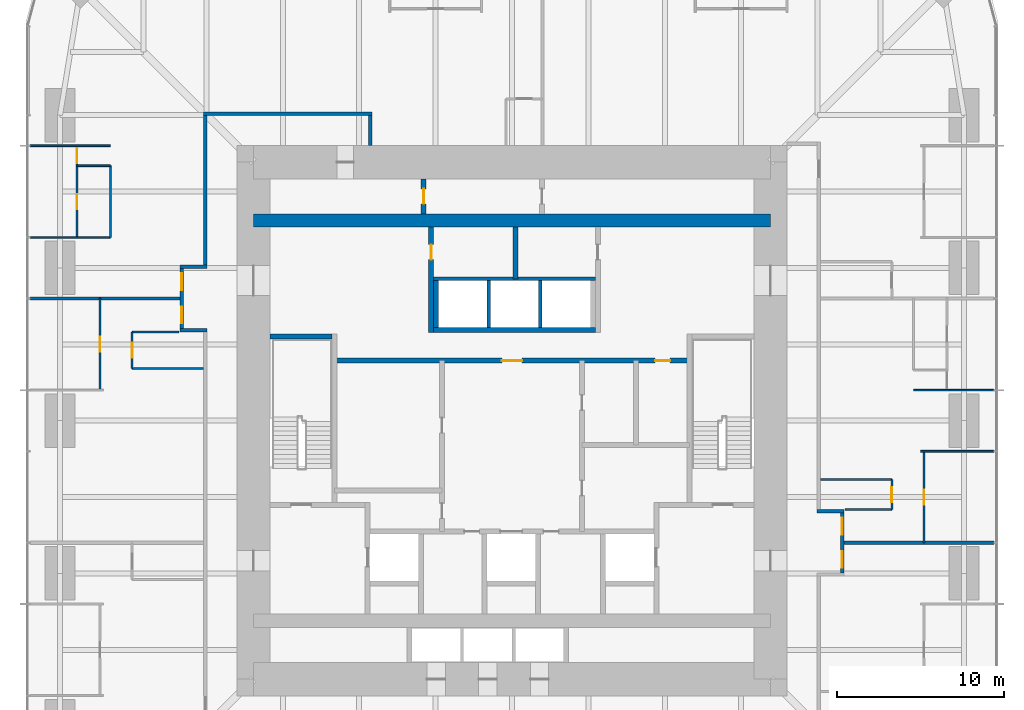
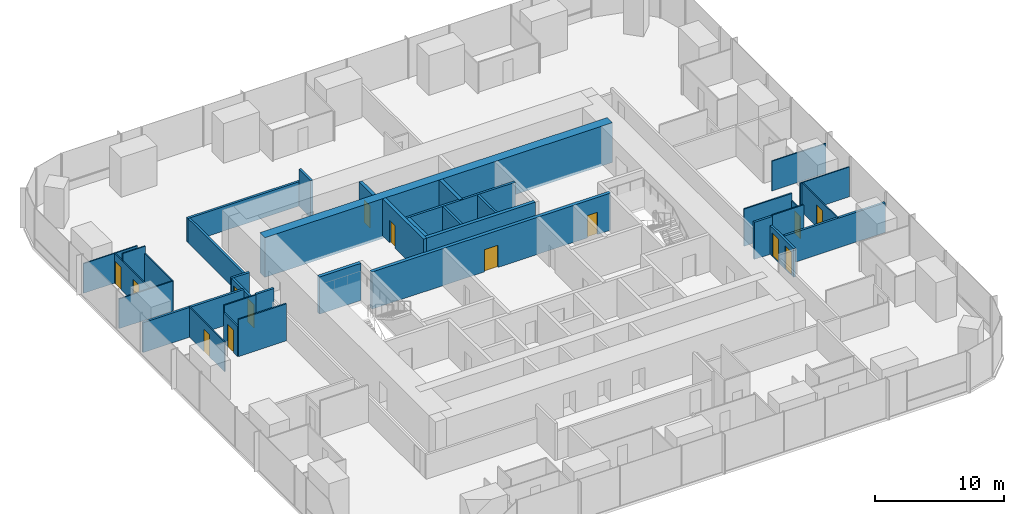
# One storey, part 11 of 13: 36 walls, 14 doors, 14 openings.
"""IFC4 building model written with IfcOpenShell, lengths in metres."""

from ifc_helpers import new_model, si_unit, direction, frame, frame_2d, origin, place, context, subcontext, project, spatial, rectangle, extrude, material, layer, layer_set, type_object, element, fill, save


model = new_model("IFC4")

# Units and contexts
model_context = context("Model", 3, precision=1e-05, world=origin(), true_north=direction((0.0, 1.0)))
body_context = subcontext(model_context, "Body", "Model", "MODEL_VIEW")
ifc_project = project(units=[si_unit("LENGTHUNIT", "METRE"), si_unit("AREAUNIT", "SQUARE_METRE"), si_unit("VOLUMEUNIT", "CUBIC_METRE"), si_unit("PLANEANGLEUNIT", "RADIAN"), si_unit("MASSUNIT", "GRAM", prefix="KILO")], contexts=[model_context])

# Site, building, storey
site_placement = place(None, origin())
site = spatial("IfcSite", under=ifc_project, at=site_placement, CompositionType="ELEMENT")
building_placement = place(site_placement, origin())
building = spatial("IfcBuilding", under=site, at=building_placement, Name="Khuree Lantern Residences", CompositionType="ELEMENT")
storey_placement = place(building_placement, frame((0.0, 0.0, 122.25)))
storey = spatial("IfcBuildingStorey", under=building, at=storey_placement, Name="L30", CompositionType="ELEMENT", Elevation=122.25)

# Wall, opening, door
ifc_material_1 = material(Name="Moisture-resistant gypsum board on steel studs", Category="steel")
ifc_layer_1 = layer(ifc_material_1, 0.125)
ifc_layer_set_1 = layer_set([ifc_layer_1], Name="BATHROOM WALL BTW125")
wall_type_1 = type_object("IfcWallType", Name="BATHROOM WALL BTW125", PredefinedType="PARTITIONING", material=ifc_layer_set_1)
wall_1_placement = place(storey_placement, frame((22.77978515625, -5.327880859375, 0.0), z_axis=(0.0, 0.0, 1.0), x_axis=(0.0, 1.0, 0.0)))
wall_1 = element("IfcWall", 1, at=wall_1_placement, inside=storey, type_object=wall_type_1, Name="L30 BATHROOM WALL 01", PredefinedType="PARTITIONING", context=body_context, shape_type="SweptSolid", body=[
    extrude(rectangle(XDim=1.7998046875, YDim=0.125, at=frame_2d((0.89990234375, 0.0))), origin(), (0.0, 0.0, 1.0), 2.81005859375),
])
opening_1_placement = place(wall_1_placement, frame((0.449951171875, 0.0, 0.0)))
opening_1 = element("IfcOpeningElement", 2, at=opening_1_placement, cuts=wall_1, Name="Opening 30-029", PredefinedType="OPENING", context=body_context, shape_type="SweptSolid", body=[
    extrude(rectangle(XDim=0.89990234375, YDim=2.10009765625, at=frame_2d((0.449951171875, 1.050048828125))), frame((0.0, 0.072509765625, 0.0), z_axis=(0.0, -1.0, 0.0), x_axis=(1.0, 0.0, 0.0)), (0.0, 0.0, 1.0), 0.14501953125),
])
ifc_material_2 = material(Name="Timber door leaf in hardwood frame", Category="wood")
door_type_1 = type_object("IfcDoorType", Name="BATHROOM DOOR 900X2100", OperationType="SINGLE_SWING_LEFT", PredefinedType="DOOR", material=ifc_material_2)
door_1_placement = place(opening_1_placement, origin())
door_1 = element("IfcDoor", 3, at=door_1_placement, inside=storey, type_object=door_type_1, Name="Bathroom door 30-029", OperationType="SINGLE_SWING_LEFT", OverallHeight=2.10009765625, OverallWidth=0.89990234375, PredefinedType="DOOR", context=body_context, shape_type="SweptSolid", body=[
    extrude(rectangle(XDim=0.89990234375, YDim=2.10009765625, at=frame_2d((0.449951171875, 1.050048828125))), frame((0.0, 0.02490234375, 0.0), z_axis=(0.0, -1.0, 0.0), x_axis=(1.0, 0.0, 0.0)), (0.0, 0.0, 1.0), 0.050048828125),
])
fill(opening_1, door_1)

# Walls
wall_2_placement = place(storey_placement, frame((19.969970703125, -5.327880859375, 0.0), z_axis=(0.0, 0.0, 1.0), x_axis=(1.0, 0.0, 0.0)))
element("IfcWall", 4, at=wall_2_placement, inside=storey, type_object=wall_type_1, Name="L30 BATHROOM WALL 01", PredefinedType="PARTITIONING", context=body_context, shape_type="SweptSolid", body=[
    extrude(rectangle(XDim=2.809814453125, YDim=0.125, at=frame_2d((1.40478515625, 0.0))), origin(), (0.0, 0.0, 1.0), 3.5),
])
wall_3_placement = place(storey_placement, frame((18.5, -3.528076171875, 0.0), z_axis=(0.0, 0.0, 1.0), x_axis=(1.0, 0.0, 0.0)))
element("IfcWall", 5, at=wall_3_placement, inside=storey, type_object=wall_type_1, Name="L30 BATHROOM WALL 01", PredefinedType="PARTITIONING", context=body_context, shape_type="SweptSolid", body=[
    extrude(rectangle(XDim=4.27978515625, YDim=0.125, at=frame_2d((2.139892578125, 0.0))), origin(), (0.0, 0.0, 1.0), 3.5),
])

# Wall, opening, door
wall_4_placement = place(storey_placement, frame((-22.77978515625, 5.327880859375, 0.0), z_axis=(0.0, 0.0, 1.0), x_axis=(0.0, -1.0, 0.0)))
wall_4 = element("IfcWall", 6, at=wall_4_placement, inside=storey, type_object=wall_type_1, Name="L30 BATHROOM WALL 04", PredefinedType="PARTITIONING", context=body_context, shape_type="SweptSolid", body=[
    extrude(rectangle(XDim=2.199951171875, YDim=0.125, at=frame_2d((1.10009765625, 0.0))), origin(), (0.0, 0.0, 1.0), 2.81005859375),
])
opening_2_placement = place(wall_4_placement, frame((0.64990234375, 0.0, 0.0)))
opening_2 = element("IfcOpeningElement", 7, at=opening_2_placement, cuts=wall_4, Name="Opening 30-041", PredefinedType="OPENING", context=body_context, shape_type="SweptSolid", body=[
    extrude(rectangle(XDim=0.89990234375, YDim=2.10009765625, at=frame_2d((0.449951171875, 1.050048828125))), frame((0.0, 0.072509765625, 0.0), z_axis=(0.0, -1.0, 0.0), x_axis=(1.0, 0.0, 0.0)), (0.0, 0.0, 1.0), 0.14501953125),
])
door_2_placement = place(opening_2_placement, origin())
door_2 = element("IfcDoor", 8, at=door_2_placement, inside=storey, type_object=door_type_1, Name="Bathroom door 30-041", OperationType="SINGLE_SWING_LEFT", OverallHeight=2.10009765625, OverallWidth=0.89990234375, PredefinedType="DOOR", context=body_context, shape_type="SweptSolid", body=[
    extrude(rectangle(XDim=0.89990234375, YDim=2.10009765625, at=frame_2d((0.449951171875, 1.050048828125))), frame((0.0, 0.02490234375, 0.0), z_axis=(0.0, -1.0, 0.0), x_axis=(1.0, 0.0, 0.0)), (0.0, 0.0, 1.0), 0.050048828125),
])
fill(opening_2, door_2)

# Walls
wall_5_placement = place(storey_placement, frame((-19.969970703125, 5.327880859375, 0.0), z_axis=(0.0, 0.0, 1.0), x_axis=(-1.0, 0.0, 0.0)))
element("IfcWall", 9, at=wall_5_placement, inside=storey, type_object=wall_type_1, Name="L30 BATHROOM WALL 04", PredefinedType="PARTITIONING", context=body_context, shape_type="SweptSolid", body=[
    extrude(rectangle(XDim=2.809814453125, YDim=0.125, at=frame_2d((1.40478515625, 0.0))), origin(), (0.0, 0.0, 1.0), 3.5),
])
wall_6_placement = place(storey_placement, frame((-18.5, 3.1279296875, 0.0), z_axis=(0.0, 0.0, 1.0), x_axis=(-1.0, 0.0, 0.0)))
element("IfcWall", 10, at=wall_6_placement, inside=storey, type_object=wall_type_1, Name="L30 BATHROOM WALL 04", PredefinedType="PARTITIONING", context=body_context, shape_type="SweptSolid", body=[
    extrude(rectangle(XDim=4.27978515625, YDim=0.125, at=frame_2d((2.139892578125, 0.0))), origin(), (0.0, 0.0, 1.0), 3.5),
])
ifc_material_3 = material(Name="Dense concrete blockwork", Category="masonry")
ifc_layer_2 = layer(ifc_material_3, 0.300048828125)
ifc_layer_set_2 = layer_set([ifc_layer_2], Name="CORE PARTITION WALL CPW300 EI 120")
wall_type_2 = type_object("IfcWallType", Name="CORE PARTITION WALL CPW300 EI 120", PredefinedType="PARTITIONING", material=ifc_layer_set_2)
wall_7_placement = place(storey_placement, frame((-4.699951171875, 5.449951171875, 0.0), z_axis=(0.0, 0.0, 1.0), x_axis=(1.0, 0.0, 0.0)))
element("IfcWall", 11, at=wall_7_placement, inside=storey, type_object=wall_type_2, Name="L30 CORE WALL PHS", PredefinedType="PARTITIONING", context=body_context, shape_type="SweptSolid", body=[
    extrude(rectangle(XDim=9.699951171875, YDim=0.300048828125, at=frame_2d((4.85009765625, 0.0))), origin(), (0.0, 0.0, 1.0), 3.5),
])
wall_8_placement = place(storey_placement, frame((-4.550048828125, 5.60009765625, 0.0), z_axis=(0.0, 0.0, 1.0), x_axis=(0.0, 1.0, 0.0)))
element("IfcWall", 12, at=wall_8_placement, inside=storey, type_object=wall_type_2, Name="L30 CORE WALL PHW", PredefinedType="PARTITIONING", context=body_context, shape_type="SweptSolid", body=[
    extrude(rectangle(XDim=2.7998046875, YDim=0.300048828125, at=frame_2d((1.39990234375, 0.0))), origin(), (0.0, 0.0, 1.0), 3.5),
])

# Wall, openings, doors
wall_9_placement = place(storey_placement, frame((-10.64990234375, 3.60009765625, 0.0), z_axis=(0.0, 0.0, 1.0), x_axis=(1.0, 0.0, 0.0)))
wall_9 = element("IfcWall", 13, at=wall_9_placement, inside=storey, type_object=wall_type_2, Name="L30 CORE WALL LLS", PredefinedType="PARTITIONING", context=body_context, shape_type="SweptSolid", body=[
    extrude(rectangle(XDim=21.2998046875, YDim=0.300048828125, at=frame_2d((10.64990234375, 0.0))), origin(), (0.0, 0.0, 1.0), 3.5),
])
opening_3_placement = place(wall_9_placement, frame((10.050048828125, 0.0, 0.0)))
opening_3 = element("IfcOpeningElement", 14, at=opening_3_placement, cuts=wall_9, Name="Opening 30-013", PredefinedType="OPENING", context=body_context, shape_type="SweptSolid", body=[
    extrude(rectangle(XDim=1.199951171875, YDim=2.10009765625, at=frame_2d((0.60009765625, 1.050048828125))), frame((0.0, 0.16015625, 0.0), z_axis=(0.0, -1.0, 0.0), x_axis=(1.0, 0.0, 0.0)), (0.0, 0.0, 1.0), 0.320068359375),
])
opening_4_placement = place(wall_9_placement, frame((19.238037109375, 0.0, 0.0)))
opening_4 = element("IfcOpeningElement", 15, at=opening_4_placement, cuts=wall_9, Name="Opening 30-020", PredefinedType="OPENING", context=body_context, shape_type="SweptSolid", body=[
    extrude(rectangle(XDim=0.89990234375, YDim=2.10009765625, at=frame_2d((0.449951171875, 1.050048828125))), frame((0.0, 0.16015625, 0.0), z_axis=(0.0, -1.0, 0.0), x_axis=(1.0, 0.0, 0.0)), (0.0, 0.0, 1.0), 0.320068359375),
])
ifc_material_4 = material(Name="Steel door leaf in steel frame", Category="steel")
door_type_2 = type_object("IfcDoorType", Name="DOOR 1200X2100 EI 60", OperationType="SINGLE_SWING_LEFT", PredefinedType="DOOR", material=ifc_material_4)
door_3_placement = place(opening_3_placement, origin())
door_3 = element("IfcDoor", 16, at=door_3_placement, inside=storey, type_object=door_type_2, Name="Service lift lobby door 30-013", OperationType="SINGLE_SWING_LEFT", OverallHeight=2.10009765625, OverallWidth=1.199951171875, PredefinedType="DOOR", context=body_context, shape_type="SweptSolid", body=[
    extrude(rectangle(XDim=1.199951171875, YDim=2.10009765625, at=frame_2d((0.60009765625, 1.050048828125))), frame((0.0, 0.02490234375, 0.0), z_axis=(0.0, -1.0, 0.0), x_axis=(1.0, 0.0, 0.0)), (0.0, 0.0, 1.0), 0.050048828125),
])
fill(opening_3, door_3)
door_type_3 = type_object("IfcDoorType", Name="DOOR 900X2100 RIGHT HAND", OperationType="SINGLE_SWING_RIGHT", PredefinedType="DOOR", material=ifc_material_2)
door_4_placement = place(opening_4_placement, origin())
door_4 = element("IfcDoor", 17, at=door_4_placement, inside=storey, type_object=door_type_3, Name="Building management room door 30-020", OperationType="SINGLE_SWING_RIGHT", OverallHeight=2.10009765625, OverallWidth=0.89990234375, PredefinedType="DOOR", context=body_context, shape_type="SweptSolid", body=[
    extrude(rectangle(XDim=0.89990234375, YDim=2.10009765625, at=frame_2d((0.449951171875, 1.050048828125))), frame((0.0, 0.02490234375, 0.0), z_axis=(0.0, -1.0, 0.0), x_axis=(1.0, 0.0, 0.0)), (0.0, 0.0, 1.0), 0.050048828125),
])
fill(opening_4, door_4)

# Wall, opening, door
wall_10_placement = place(storey_placement, frame((-4.85009765625, 5.300048828125, 0.0), z_axis=(0.0, 0.0, 1.0), x_axis=(0.0, 1.0, 0.0)))
wall_10 = element("IfcWall", 18, at=wall_10_placement, inside=storey, type_object=wall_type_2, Name="L30 CORE WALL NW", PredefinedType="PARTITIONING", context=body_context, shape_type="SweptSolid", body=[
    extrude(rectangle(XDim=6.300048828125, YDim=0.300048828125, at=frame_2d((3.14990234375, 0.0))), origin(), (0.0, 0.0, 1.0), 3.5),
])
opening_5_placement = place(wall_10_placement, frame((4.35009765625, 0.0, 0.0)))
opening_5 = element("IfcOpeningElement", 19, at=opening_5_placement, cuts=wall_10, Name="Opening 30-021", PredefinedType="OPENING", context=body_context, shape_type="SweptSolid", body=[
    extrude(rectangle(XDim=0.89990234375, YDim=2.10009765625, at=frame_2d((0.449951171875, 1.050048828125))), frame((0.0, 0.16015625, 0.0), z_axis=(0.0, -1.0, 0.0), x_axis=(1.0, 0.0, 0.0)), (0.0, 0.0, 1.0), 0.320068359375),
])
door_5_placement = place(opening_5_placement, origin())
door_5 = element("IfcDoor", 20, at=door_5_placement, inside=storey, type_object=door_type_3, Name="Refuse holding room door 30-021", OperationType="SINGLE_SWING_RIGHT", OverallHeight=2.10009765625, OverallWidth=0.89990234375, PredefinedType="DOOR", context=body_context, shape_type="SweptSolid", body=[
    extrude(rectangle(XDim=0.89990234375, YDim=2.10009765625, at=frame_2d((0.449951171875, 1.050048828125))), frame((0.0, 0.02490234375, 0.0), z_axis=(0.0, -1.0, 0.0), x_axis=(1.0, 0.0, 0.0)), (0.0, 0.0, 1.0), 0.050048828125),
])
fill(opening_5, door_5)

# Wall
wall_11_placement = place(storey_placement, frame((0.199951171875, 8.5, 0.0), z_axis=(0.0, 0.0, 1.0), x_axis=(0.0, 1.0, 0.0)))
element("IfcWall", 21, at=wall_11_placement, inside=storey, type_object=wall_type_2, Name="L30 CORE WALL NX", PredefinedType="PARTITIONING", context=body_context, shape_type="SweptSolid", body=[
    extrude(rectangle(XDim=3.10009765625, YDim=0.300048828125, at=frame_2d((1.550048828125, 0.0))), origin(), (0.0, 0.0, 1.0), 3.5),
])

# Wall, opening, door
wall_12_placement = place(storey_placement, frame((-5.300048828125, 12.39990234375, 0.0), z_axis=(0.0, 0.0, 1.0), x_axis=(0.0, 1.0, 0.0)))
wall_12 = element("IfcWall", 22, at=wall_12_placement, inside=storey, type_object=wall_type_2, Name="L30 CORE WALL PLX", PredefinedType="PARTITIONING", context=body_context, shape_type="SweptSolid", body=[
    extrude(rectangle(XDim=2.10009765625, YDim=0.300048828125, at=frame_2d((1.050048828125, 0.0))), origin(), (0.0, 0.0, 1.0), 3.5),
])
opening_6_placement = place(wall_12_placement, frame((0.60009765625, 0.0, 0.0)))
opening_6 = element("IfcOpeningElement", 23, at=opening_6_placement, cuts=wall_12, Name="Opening 30-023", PredefinedType="OPENING", context=body_context, shape_type="SweptSolid", body=[
    extrude(rectangle(XDim=0.89990234375, YDim=2.10009765625, at=frame_2d((0.449951171875, 1.050048828125))), frame((0.0, 0.16015625, 0.0), z_axis=(0.0, -1.0, 0.0), x_axis=(1.0, 0.0, 0.0)), (0.0, 0.0, 1.0), 0.320068359375),
])
door_type_4 = type_object("IfcDoorType", Name="DOOR 900X2100", OperationType="SINGLE_SWING_LEFT", PredefinedType="DOOR", material=ifc_material_2)
door_6_placement = place(opening_6_placement, origin())
door_6 = element("IfcDoor", 24, at=door_6_placement, inside=storey, type_object=door_type_4, Name="Housekeeping store door 30-023", OperationType="SINGLE_SWING_LEFT", OverallHeight=2.10009765625, OverallWidth=0.89990234375, PredefinedType="DOOR", context=body_context, shape_type="SweptSolid", body=[
    extrude(rectangle(XDim=0.89990234375, YDim=2.10009765625, at=frame_2d((0.449951171875, 1.050048828125))), frame((0.0, 0.02490234375, 0.0), z_axis=(0.0, -1.0, 0.0), x_axis=(1.0, 0.0, 0.0)), (0.0, 0.0, 1.0), 0.050048828125),
])
fill(opening_6, door_6)

# Walls
ifc_material_5 = material(Name="Gypsum board on steel studs", Category="steel")
ifc_layer_3 = layer(ifc_material_5, 0.199951171875)
ifc_layer_set_3 = layer_set([ifc_layer_3], Name="CORRIDOR WALL CRW200 EI 60")
wall_type_3 = type_object("IfcWallType", Name="CORRIDOR WALL CRW200 EI 60", PredefinedType="PARTITIONING", material=ifc_layer_set_3)
wall_13_placement = place(storey_placement, frame((-18.5, 18.39990234375, 0.0), z_axis=(0.0, 0.0, 1.0), x_axis=(1.0, 0.0, 0.0)))
element("IfcWall", 25, at=wall_13_placement, inside=storey, type_object=wall_type_3, Name="L30 CORRIDOR WALL NORTH", PredefinedType="PARTITIONING", context=body_context, shape_type="SweptSolid", body=[
    extrude(rectangle(XDim=10.10009765625, YDim=0.199951171875, at=frame_2d((5.050048828125, 0.0))), origin(), (0.0, 0.0, 1.0), 2.300048828125),
])
wall_14_placement = place(storey_placement, frame((-8.5, 18.300048828125, 0.0), z_axis=(0.0, 0.0, 1.0), x_axis=(0.0, -1.0, 0.0)))
element("IfcWall", 26, at=wall_14_placement, inside=storey, type_object=wall_type_3, Name="L30 NORTH CORRIDOR END WALL", PredefinedType="PARTITIONING", context=body_context, shape_type="SweptSolid", body=[
    extrude(rectangle(XDim=1.800048828125, YDim=0.199951171875, at=frame_2d((0.89990234375, 0.0))), origin(), (0.0, 0.0, 1.0), 3.5),
])
wall_15_placement = place(storey_placement, frame((18.300048828125, -5.427978515625, 0.0), z_axis=(0.0, 0.0, 1.0), x_axis=(1.0, 0.0, 0.0)))
element("IfcWall", 27, at=wall_15_placement, inside=storey, type_object=wall_type_3, Name="L30 CORRIDOR ALCOVE WALL EAST", PredefinedType="PARTITIONING", context=body_context, shape_type="SweptSolid", body=[
    extrude(rectangle(XDim=1.599853515625, YDim=0.199951171875, at=frame_2d((0.7998046875, 0.0))), origin(), (0.0, 0.0, 1.0), 3.5),
])

# Wall, openings, doors
wall_16_placement = place(storey_placement, frame((19.800048828125, -9.1279296875, 0.0), z_axis=(0.0, 0.0, 1.0), x_axis=(0.0, 1.0, 0.0)))
wall_16 = element("IfcWall", 28, at=wall_16_placement, inside=storey, type_object=wall_type_3, Name="L30 CORRIDOR ALCOVE WALL EAST", PredefinedType="PARTITIONING", context=body_context, shape_type="SweptSolid", body=[
    extrude(rectangle(XDim=3.599853515625, YDim=0.199951171875, at=frame_2d((1.7998046875, 0.0))), origin(), (0.0, 0.0, 1.0), 2.699951171875),
])
opening_7_placement = place(wall_16_placement, frame((2.300048828125, 0.0, 0.0)))
opening_7 = element("IfcOpeningElement", 29, at=opening_7_placement, cuts=wall_16, Name="Opening 30-030", PredefinedType="OPENING", context=body_context, shape_type="SweptSolid", body=[
    extrude(rectangle(XDim=1.0, YDim=2.199951171875, at=frame_2d((0.5, 1.10009765625))), frame((0.0, 0.10986328125, 0.0), z_axis=(0.0, -1.0, 0.0), x_axis=(1.0, 0.0, 0.0)), (0.0, 0.0, 1.0), 0.219970703125),
])
opening_8_placement = place(wall_16_placement, frame((0.300048828125, 0.0, 0.0)))
opening_8 = element("IfcOpeningElement", 30, at=opening_8_placement, cuts=wall_16, Name="Opening 30-056", PredefinedType="OPENING", context=body_context, shape_type="SweptSolid", body=[
    extrude(rectangle(XDim=1.0, YDim=2.199951171875, at=frame_2d((0.5, 1.10009765625))), frame((0.0, 0.10986328125, 0.0), z_axis=(0.0, -1.0, 0.0), x_axis=(1.0, 0.0, 0.0)), (0.0, 0.0, 1.0), 0.219970703125),
])
door_type_5 = type_object("IfcDoorType", Name="APARTMENT ENTRANCE DOOR 1000X2200 EI 30S", OperationType="SINGLE_SWING_LEFT", PredefinedType="DOOR", material=ifc_material_2)
door_7_placement = place(opening_8_placement, origin())
door_7 = element("IfcDoor", 31, at=door_7_placement, inside=storey, type_object=door_type_5, Name="Apartment 07 entrance door 30-056", OperationType="SINGLE_SWING_LEFT", OverallHeight=2.199951171875, OverallWidth=1.0, PredefinedType="DOOR", context=body_context, shape_type="SweptSolid", body=[
    extrude(rectangle(XDim=1.0, YDim=2.199951171875, at=frame_2d((0.5, 1.10009765625))), frame((0.0, 0.02490234375, 0.0), z_axis=(0.0, -1.0, 0.0), x_axis=(1.0, 0.0, 0.0)), (0.0, 0.0, 1.0), 0.050048828125),
])
fill(opening_8, door_7)
door_type_6 = type_object("IfcDoorType", Name="APARTMENT ENTRANCE DOOR 1000X2200 EI 30S RIGHT HAND", OperationType="SINGLE_SWING_RIGHT", PredefinedType="DOOR", material=ifc_material_2)
door_8_placement = place(opening_7_placement, origin())
door_8 = element("IfcDoor", 32, at=door_8_placement, inside=storey, type_object=door_type_6, Name="Apartment 01 entrance door 30-030", OperationType="SINGLE_SWING_RIGHT", OverallHeight=2.199951171875, OverallWidth=1.0, PredefinedType="DOOR", context=body_context, shape_type="SweptSolid", body=[
    extrude(rectangle(XDim=1.0, YDim=2.199951171875, at=frame_2d((0.5, 1.10009765625))), frame((0.0, 0.02490234375, 0.0), z_axis=(0.0, -1.0, 0.0), x_axis=(1.0, 0.0, 0.0)), (0.0, 0.0, 1.0), 0.050048828125),
])
fill(opening_7, door_8)

# Walls
wall_17_placement = place(storey_placement, frame((-18.39990234375, 18.300048828125, 0.0), z_axis=(0.0, 0.0, 1.0), x_axis=(0.0, -1.0, 0.0)))
element("IfcWall", 33, at=wall_17_placement, inside=storey, type_object=wall_type_3, Name="L30 CORRIDOR WALL WEST 1", PredefinedType="PARTITIONING", context=body_context, shape_type="SweptSolid", body=[
    extrude(rectangle(XDim=8.97216796875, YDim=0.199951171875, at=frame_2d((4.486083984375, 0.0))), origin(), (0.0, 0.0, 1.0), 2.300048828125),
])
wall_18_placement = place(storey_placement, frame((-18.300048828125, 9.22802734375, 0.0), z_axis=(0.0, 0.0, 1.0), x_axis=(-1.0, 0.0, 0.0)))
element("IfcWall", 34, at=wall_18_placement, inside=storey, type_object=wall_type_3, Name="L30 CORRIDOR ALCOVE WALL WEST", PredefinedType="PARTITIONING", context=body_context, shape_type="SweptSolid", body=[
    extrude(rectangle(XDim=1.599853515625, YDim=0.199951171875, at=frame_2d((0.7998046875, 0.0))), origin(), (0.0, 0.0, 1.0), 2.699951171875),
])
wall_19_placement = place(storey_placement, frame((-18.300048828125, 5.427978515625, 0.0), z_axis=(0.0, 0.0, 1.0), x_axis=(-1.0, 0.0, 0.0)))
element("IfcWall", 35, at=wall_19_placement, inside=storey, type_object=wall_type_3, Name="L30 CORRIDOR ALCOVE WALL WEST", PredefinedType="PARTITIONING", context=body_context, shape_type="SweptSolid", body=[
    extrude(rectangle(XDim=1.599853515625, YDim=0.199951171875, at=frame_2d((0.7998046875, 0.0))), origin(), (0.0, 0.0, 1.0), 3.5),
])

# Wall, openings, doors
wall_20_placement = place(storey_placement, frame((-19.800048828125, 9.1279296875, 0.0), z_axis=(0.0, 0.0, 1.0), x_axis=(0.0, -1.0, 0.0)))
wall_20 = element("IfcWall", 36, at=wall_20_placement, inside=storey, type_object=wall_type_3, Name="L30 CORRIDOR ALCOVE WALL WEST", PredefinedType="PARTITIONING", context=body_context, shape_type="SweptSolid", body=[
    extrude(rectangle(XDim=3.599853515625, YDim=0.199951171875, at=frame_2d((1.7998046875, 0.0))), origin(), (0.0, 0.0, 1.0), 2.699951171875),
])
opening_9_placement = place(wall_20_placement, frame((0.300048828125, 0.0, 0.0)))
opening_9 = element("IfcOpeningElement", 37, at=opening_9_placement, cuts=wall_20, Name="Opening 30-039", PredefinedType="OPENING", context=body_context, shape_type="SweptSolid", body=[
    extrude(rectangle(XDim=1.0, YDim=2.199951171875, at=frame_2d((0.5, 1.10009765625))), frame((0.0, 0.10986328125, 0.0), z_axis=(0.0, -1.0, 0.0), x_axis=(1.0, 0.0, 0.0)), (0.0, 0.0, 1.0), 0.219970703125),
])
opening_10_placement = place(wall_20_placement, frame((2.300048828125, 0.0, 0.0)))
opening_10 = element("IfcOpeningElement", 38, at=opening_10_placement, cuts=wall_20, Name="Opening 30-042", PredefinedType="OPENING", context=body_context, shape_type="SweptSolid", body=[
    extrude(rectangle(XDim=1.0, YDim=2.199951171875, at=frame_2d((0.5, 1.10009765625))), frame((0.0, 0.10986328125, 0.0), z_axis=(0.0, -1.0, 0.0), x_axis=(1.0, 0.0, 0.0)), (0.0, 0.0, 1.0), 0.219970703125),
])
door_9_placement = place(opening_9_placement, origin())
door_9 = element("IfcDoor", 39, at=door_9_placement, inside=storey, type_object=door_type_5, Name="Apartment 03 entrance door 30-039", OperationType="SINGLE_SWING_LEFT", OverallHeight=2.199951171875, OverallWidth=1.0, PredefinedType="DOOR", context=body_context, shape_type="SweptSolid", body=[
    extrude(rectangle(XDim=1.0, YDim=2.199951171875, at=frame_2d((0.5, 1.10009765625))), frame((0.0, 0.02490234375, 0.0), z_axis=(0.0, -1.0, 0.0), x_axis=(1.0, 0.0, 0.0)), (0.0, 0.0, 1.0), 0.050048828125),
])
fill(opening_9, door_9)
door_10_placement = place(opening_10_placement, origin())
door_10 = element("IfcDoor", 40, at=door_10_placement, inside=storey, type_object=door_type_6, Name="Apartment 04 entrance door 30-042", OperationType="SINGLE_SWING_RIGHT", OverallHeight=2.199951171875, OverallWidth=1.0, PredefinedType="DOOR", context=body_context, shape_type="SweptSolid", body=[
    extrude(rectangle(XDim=1.0, YDim=2.199951171875, at=frame_2d((0.5, 1.10009765625))), frame((0.0, 0.02490234375, 0.0), z_axis=(0.0, -1.0, 0.0), x_axis=(1.0, 0.0, 0.0)), (0.0, 0.0, 1.0), 0.050048828125),
])
fill(opening_10, door_10)

# Walls
ifc_layer_4 = layer(ifc_material_5, 0.199951171875)
ifc_layer_set_4 = layer_set([ifc_layer_4], Name="DEMISING WALL DMW200 EI 90")
wall_type_4 = type_object("IfcWallType", Name="DEMISING WALL DMW200 EI 90", PredefinedType="PARTITIONING", material=ifc_layer_set_4)
for number, where, z_axis, x_axis, name in (
    (41, (19.89990234375, -7.327880859375, 0.0), (0.0, 0.0, 1.0), (1.0, 0.0, 0.0), "L30 DEMISING WALL 01"),
    (42, (-19.89990234375, 7.327880859375, 0.0), (0.0, 0.0, 1.0), (-1.0, 0.0, 0.0), "L30 DEMISING WALL 04"),
):
    element("IfcWall", number, at=place(storey_placement, frame(where, z_axis=z_axis, x_axis=x_axis)), inside=storey, type_object=wall_type_4, Name=name, PredefinedType="PARTITIONING", context=body_context, shape_type="SweptSolid", body=[
        extrude(rectangle(XDim=9.0, YDim=0.199951171875, at=frame_2d((4.5, 0.0))), origin(), (0.0, 0.0, 1.0), 2.81005859375),
    ])
ifc_layer_5 = layer(ifc_material_5, 0.10009765625)
ifc_layer_set_5 = layer_set([ifc_layer_5], Name="PARTITION PT100")
wall_type_5 = type_object("IfcWallType", Name="PARTITION PT100", PredefinedType="PARTITIONING", material=ifc_layer_set_5)
wall_21_placement = place(storey_placement, frame((24.5, -1.83203125, 0.0), z_axis=(0.0, 0.0, 1.0), x_axis=(1.0, 0.0, 0.0)))
element("IfcWall", 43, at=wall_21_placement, inside=storey, type_object=wall_type_5, Name="L30 PARTITION 01", PredefinedType="PARTITIONING", context=body_context, shape_type="SweptSolid", body=[
    extrude(rectangle(XDim=4.39990234375, YDim=0.10009765625, at=frame_2d((2.199951171875, 0.0))), origin(), (0.0, 0.0, 1.0), 2.81005859375),
])
for number, where, z_axis, x_axis, name in (
    (44, (24.079833984375, 1.83203125, 0.0), (0.0, 0.0, 1.0), (1.0, 0.0, 0.0), "L30 PARTITION 01"),
    (45, (-24.079833984375, 16.488037109375, 0.0), (0.0, 0.0, 1.0), (-1.0, 0.0, 0.0), "L30 PARTITION 03"),
    (46, (-24.079833984375, 10.991943359375, 0.0), (0.0, 0.0, 1.0), (-1.0, 0.0, 0.0), "L30 PARTITION 03"),
):
    element("IfcWall", number, at=place(storey_placement, frame(where, z_axis=z_axis, x_axis=x_axis)), inside=storey, type_object=wall_type_5, Name=name, PredefinedType="PARTITIONING", context=body_context, shape_type="SweptSolid", body=[
        extrude(rectangle(XDim=4.820068359375, YDim=0.10009765625, at=frame_2d((2.41015625, 0.0))), origin(), (0.0, 0.0, 1.0), 2.81005859375),
    ])

# Wall, opening, door
wall_22_placement = place(storey_placement, frame((24.699951171875, -7.327880859375, 0.0), z_axis=(0.0, 0.0, 1.0), x_axis=(0.0, 1.0, 0.0)))
wall_22 = element("IfcWall", 47, at=wall_22_placement, inside=storey, type_object=wall_type_5, Name="L30 PARTITION 01", PredefinedType="PARTITIONING", context=body_context, shape_type="SweptSolid", body=[
    extrude(rectangle(XDim=5.495849609375, YDim=0.10009765625, at=frame_2d((2.748046875, 0.0))), origin(), (0.0, 0.0, 1.0), 2.81005859375),
])
opening_11_placement = place(wall_22_placement, frame((2.298095703125, 0.0, 0.0)))
opening_11 = element("IfcOpeningElement", 48, at=opening_11_placement, cuts=wall_22, Name="Opening 30-026", PredefinedType="OPENING", context=body_context, shape_type="SweptSolid", body=[
    extrude(rectangle(XDim=0.89990234375, YDim=2.10009765625, at=frame_2d((0.449951171875, 1.050048828125))), frame((0.0, 0.06005859375, 0.0), z_axis=(0.0, -1.0, 0.0), x_axis=(1.0, 0.0, 0.0)), (0.0, 0.0, 1.0), 0.1201171875),
])
door_type_7 = type_object("IfcDoorType", Name="BEDROOM DOOR 900X2100", OperationType="SINGLE_SWING_LEFT", PredefinedType="DOOR", material=ifc_material_2)
door_11_placement = place(opening_11_placement, origin())
door_11 = element("IfcDoor", 49, at=door_11_placement, inside=storey, type_object=door_type_7, Name="Bedroom door 30-026", OperationType="SINGLE_SWING_LEFT", OverallHeight=2.10009765625, OverallWidth=0.89990234375, PredefinedType="DOOR", context=body_context, shape_type="SweptSolid", body=[
    extrude(rectangle(XDim=0.89990234375, YDim=2.10009765625, at=frame_2d((0.449951171875, 1.050048828125))), frame((0.0, 0.02490234375, 0.0), z_axis=(0.0, -1.0, 0.0), x_axis=(1.0, 0.0, 0.0)), (0.0, 0.0, 1.0), 0.050048828125),
])
fill(opening_11, door_11)

# Wall, openings, doors
wall_23_placement = place(storey_placement, frame((-26.079833984375, 16.488037109375, 0.0), z_axis=(0.0, 0.0, 1.0), x_axis=(0.0, -1.0, 0.0)))
wall_23 = element("IfcWall", 50, at=wall_23_placement, inside=storey, type_object=wall_type_5, Name="L30 PARTITION 03", PredefinedType="PARTITIONING", context=body_context, shape_type="SweptSolid", body=[
    extrude(rectangle(XDim=5.49609375, YDim=0.10009765625, at=frame_2d((2.748046875, 0.0))), origin(), (0.0, 0.0, 1.0), 2.81005859375),
])
opening_12_placement = place(wall_23_placement, frame((0.14990234375, 0.0, 0.0)))
opening_12 = element("IfcOpeningElement", 51, at=opening_12_placement, cuts=wall_23, Name="Opening 30-036", PredefinedType="OPENING", context=body_context, shape_type="SweptSolid", body=[
    extrude(rectangle(XDim=0.89990234375, YDim=2.10009765625, at=frame_2d((0.449951171875, 1.050048828125))), frame((0.0, 0.06005859375, 0.0), z_axis=(0.0, -1.0, 0.0), x_axis=(1.0, 0.0, 0.0)), (0.0, 0.0, 1.0), 0.1201171875),
])
opening_13_placement = place(wall_23_placement, frame((2.89794921875, 0.0, 0.0)))
opening_13 = element("IfcOpeningElement", 52, at=opening_13_placement, cuts=wall_23, Name="Opening 30-037", PredefinedType="OPENING", context=body_context, shape_type="SweptSolid", body=[
    extrude(rectangle(XDim=0.89990234375, YDim=2.10009765625, at=frame_2d((0.449951171875, 1.050048828125))), frame((0.0, 0.06005859375, 0.0), z_axis=(0.0, -1.0, 0.0), x_axis=(1.0, 0.0, 0.0)), (0.0, 0.0, 1.0), 0.1201171875),
])
door_12_placement = place(opening_12_placement, origin())
door_12 = element("IfcDoor", 53, at=door_12_placement, inside=storey, type_object=door_type_7, Name="Bedroom door 30-036", OperationType="SINGLE_SWING_LEFT", OverallHeight=2.10009765625, OverallWidth=0.89990234375, PredefinedType="DOOR", context=body_context, shape_type="SweptSolid", body=[
    extrude(rectangle(XDim=0.89990234375, YDim=2.10009765625, at=frame_2d((0.449951171875, 1.050048828125))), frame((0.0, 0.02490234375, 0.0), z_axis=(0.0, -1.0, 0.0), x_axis=(1.0, 0.0, 0.0)), (0.0, 0.0, 1.0), 0.050048828125),
])
fill(opening_12, door_12)
door_13_placement = place(opening_13_placement, origin())
door_13 = element("IfcDoor", 54, at=door_13_placement, inside=storey, type_object=door_type_4, Name="Wardrobe door 30-037", OperationType="SINGLE_SWING_LEFT", OverallHeight=2.10009765625, OverallWidth=0.89990234375, PredefinedType="DOOR", context=body_context, shape_type="SweptSolid", body=[
    extrude(rectangle(XDim=0.89990234375, YDim=2.10009765625, at=frame_2d((0.449951171875, 1.050048828125))), frame((0.0, 0.02490234375, 0.0), z_axis=(0.0, -1.0, 0.0), x_axis=(1.0, 0.0, 0.0)), (0.0, 0.0, 1.0), 0.050048828125),
])
fill(opening_13, door_13)

# Walls
wall_24_placement = place(storey_placement, frame((-24.079833984375, 15.2880859375, 0.0), z_axis=(0.0, 0.0, 1.0), x_axis=(-1.0, 0.0, 0.0)))
element("IfcWall", 55, at=wall_24_placement, inside=storey, type_object=wall_type_5, Name="L30 PARTITION 03", PredefinedType="PARTITIONING", context=body_context, shape_type="SweptSolid", body=[
    extrude(rectangle(XDim=2.0, YDim=0.10009765625, at=frame_2d((1.0, 0.0))), origin(), (0.0, 0.0, 1.0), 3.5),
])
wall_25_placement = place(storey_placement, frame((-24.079833984375, 15.2880859375, 0.0), z_axis=(0.0, 0.0, 1.0), x_axis=(0.0, -1.0, 0.0)))
element("IfcWall", 56, at=wall_25_placement, inside=storey, type_object=wall_type_5, Name="L30 PARTITION 03", PredefinedType="PARTITIONING", context=body_context, shape_type="SweptSolid", body=[
    extrude(rectangle(XDim=4.296142578125, YDim=0.10009765625, at=frame_2d((2.14794921875, 0.0))), origin(), (0.0, 0.0, 1.0), 2.81005859375),
])

# Wall, opening, door
wall_26_placement = place(storey_placement, frame((-24.699951171875, 7.327880859375, 0.0), z_axis=(0.0, 0.0, 1.0), x_axis=(0.0, -1.0, 0.0)))
wall_26 = element("IfcWall", 57, at=wall_26_placement, inside=storey, type_object=wall_type_5, Name="L30 PARTITION 04", PredefinedType="PARTITIONING", context=body_context, shape_type="SweptSolid", body=[
    extrude(rectangle(XDim=5.495849609375, YDim=0.10009765625, at=frame_2d((2.748046875, 0.0))), origin(), (0.0, 0.0, 1.0), 2.81005859375),
])
opening_14_placement = place(wall_26_placement, frame((2.298095703125, 0.0, 0.0)))
opening_14 = element("IfcOpeningElement", 58, at=opening_14_placement, cuts=wall_26, Name="Opening 30-040", PredefinedType="OPENING", context=body_context, shape_type="SweptSolid", body=[
    extrude(rectangle(XDim=0.89990234375, YDim=2.10009765625, at=frame_2d((0.449951171875, 1.050048828125))), frame((0.0, 0.06005859375, 0.0), z_axis=(0.0, -1.0, 0.0), x_axis=(1.0, 0.0, 0.0)), (0.0, 0.0, 1.0), 0.1201171875),
])
door_14_placement = place(opening_14_placement, origin())
door_14 = element("IfcDoor", 59, at=door_14_placement, inside=storey, type_object=door_type_7, Name="Bedroom door 30-040", OperationType="SINGLE_SWING_LEFT", OverallHeight=2.10009765625, OverallWidth=0.89990234375, PredefinedType="DOOR", context=body_context, shape_type="SweptSolid", body=[
    extrude(rectangle(XDim=0.89990234375, YDim=2.10009765625, at=frame_2d((0.449951171875, 1.050048828125))), frame((0.0, 0.02490234375, 0.0), z_axis=(0.0, -1.0, 0.0), x_axis=(1.0, 0.0, 0.0)), (0.0, 0.0, 1.0), 0.050048828125),
])
fill(opening_14, door_14)

# Walls
ifc_layer_6 = layer(ifc_material_3, 0.199951171875)
ifc_layer_set_6 = layer_set([ifc_layer_6], Name="SHAFT WALL SHW200 EI 120")
wall_type_6 = type_object("IfcWallType", Name="SHAFT WALL SHW200 EI 120", PredefinedType="PARTITIONING", material=ifc_layer_set_6)
wall_27_placement = place(storey_placement, frame((-4.699951171875, 8.5, 0.0), z_axis=(0.0, 0.0, 1.0), x_axis=(1.0, 0.0, 0.0)))
element("IfcWall", 60, at=wall_27_placement, inside=storey, type_object=wall_type_6, Name="L30 CORE WALL PHN", PredefinedType="PARTITIONING", context=body_context, shape_type="SweptSolid", body=[
    extrude(rectangle(XDim=9.699951171875, YDim=0.199951171875, at=frame_2d((4.85009765625, 0.0))), origin(), (0.0, 0.0, 1.0), 3.5),
])
for number, where, z_axis, x_axis, name in (
    (61, (-1.39990234375, 5.60009765625, 0.0), (0.0, 0.0, 1.0), (0.0, 1.0, 0.0), "L30 CORE WALL PHD1"),
    (62, (1.699951171875, 5.60009765625, 0.0), (0.0, 0.0, 1.0), (0.0, 1.0, 0.0), "L30 CORE WALL PHD2"),
):
    element("IfcWall", number, at=place(storey_placement, frame(where, z_axis=z_axis, x_axis=x_axis)), inside=storey, type_object=wall_type_6, Name=name, PredefinedType="PARTITIONING", context=body_context, shape_type="SweptSolid", body=[
        extrude(rectangle(XDim=2.7998046875, YDim=0.199951171875, at=frame_2d((1.39990234375, 0.0))), origin(), (0.0, 0.0, 1.0), 3.5),
    ])
ifc_material_6 = material(Name="Concrete C70/85", Category="concrete")
ifc_layer_7 = layer(ifc_material_6, 0.800048828125)
ifc_layer_set_7 = layer_set([ifc_layer_7], Name="SP800-C70 CORE SPINE WALL C70 800")
wall_type_7 = type_object("IfcWallType", Name="SP800-C70 CORE SPINE WALL C70 800", PredefinedType="SHEAR", material=ifc_layer_set_7)
wall_28_placement = place(storey_placement, frame((-15.5, 12.0, -0.25), z_axis=(0.0, 0.0, 1.0), x_axis=(1.0, 0.0, 0.0)))
element("IfcWall", 63, at=wall_28_placement, inside=storey, type_object=wall_type_7, Name="Core wall SPN", PredefinedType="SHEAR", context=body_context, shape_type="SweptSolid", body=[
    extrude(rectangle(XDim=31.0, YDim=0.800048828125, at=frame_2d((15.5, 0.0))), origin(), (0.0, 0.0, 1.0), 3.75),
])
ifc_material_7 = material(Name="Concrete C50/60", Category="concrete")
ifc_layer_8 = layer(ifc_material_7, 0.300048828125)
ifc_layer_set_8 = layer_set([ifc_layer_8], Name="STAIR WALL SRW300 C50/60 REI 240")
wall_type_8 = type_object("IfcWallType", Name="STAIR WALL SRW300 C50/60 REI 240", PredefinedType="SOLIDWALL", material=ifc_layer_set_8)
wall_29_placement = place(storey_placement, frame((-14.5, 5.050048828125, 0.0), z_axis=(0.0, 0.0, 1.0), x_axis=(1.0, 0.0, 0.0)))
element("IfcWall", 64, at=wall_29_placement, inside=storey, type_object=wall_type_8, Name="L30 STAIR WALL ST1N", PredefinedType="SOLIDWALL", context=body_context, shape_type="SweptSolid", body=[
    extrude(rectangle(XDim=3.699951171875, YDim=0.300048828125, at=frame_2d((1.85009765625, 0.0))), origin(), (0.0, 0.0, 1.0), 3.5),
])

save(model, "model.ifc")
